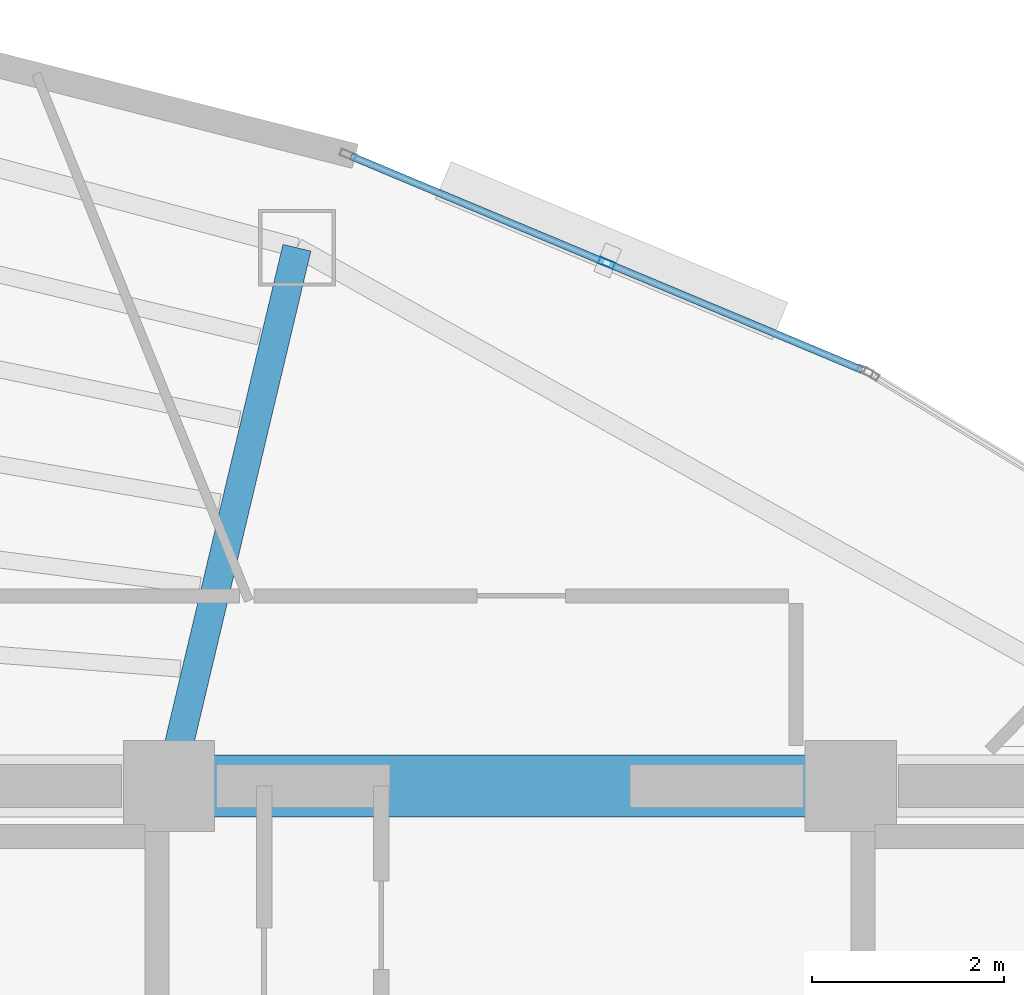
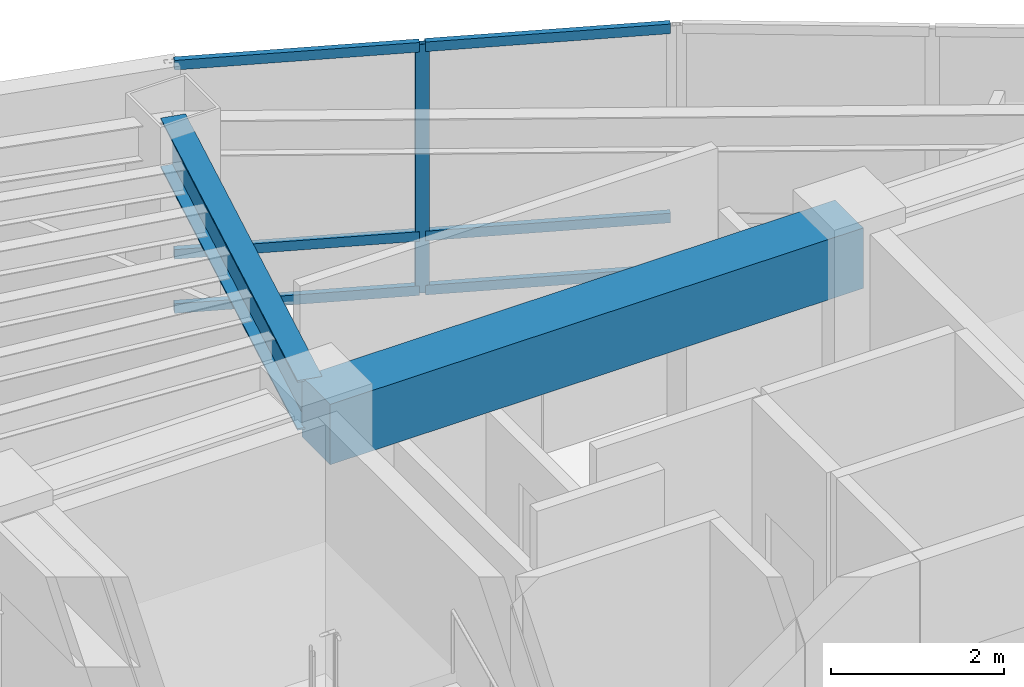
# One storey, part 8 of 15: 7 members, 2 beams, 1 element without a shape of its own.
"""IFC4 building model written with IfcOpenShell, lengths in metres."""

from ifc_helpers import new_model, si_unit, direction, frame, origin, origin_2d, place, context, subcontext, project, spatial, rectangle, hollow_rectangle, i_section, extrude, material, layer, layer_set, material_profile, profile_set, type_object, element, aggregate, save


model = new_model("IFC4")

# Units and contexts
model_context = context("Model", 3, precision=1e-05, world=origin(), true_north=direction((0.0, 1.0)))
body_context = subcontext(model_context, "Body", "Model", "MODEL_VIEW")
ifc_project = project(units=[si_unit("LENGTHUNIT", "METRE"), si_unit("AREAUNIT", "SQUARE_METRE"), si_unit("VOLUMEUNIT", "CUBIC_METRE"), si_unit("PLANEANGLEUNIT", "RADIAN"), si_unit("MASSUNIT", "GRAM", prefix="KILO")], contexts=[model_context])

# Site, building, storey
site_placement = place(None, origin())
site = spatial("IfcSite", under=ifc_project, at=site_placement, CompositionType="ELEMENT")
building_placement = place(site_placement, origin())
building = spatial("IfcBuilding", under=site, at=building_placement, Name="Menara Vayukalpa", CompositionType="ELEMENT")
storey_placement = place(building_placement, frame((0.0, 0.0, 269.4599609375)))
storey = spatial("IfcBuildingStorey", under=building, at=storey_placement, Name="L68", CompositionType="ELEMENT", Elevation=269.4599609375)

# Beams
ifc_material_1 = material(Name="Concrete C60/75", Category="concrete")
ifc_material_profile_1 = material_profile(ifc_material_1, rectangle(XDim=0.64990234375, YDim=0.85009765625, at=origin_2d()), Name="RC 650x850")
ifc_profile_set_1 = profile_set([ifc_material_profile_1], Name="Concrete C60/75")
beam_type_1 = type_object("IfcBeamType", Name="BM-CB1", PredefinedType="BEAM", material=ifc_profile_set_1)
beam_1_placement = place(storey_placement, frame((22.050048828125, 26.800048828125, 3.074951171875), z_axis=(1.0, 0.0, 0.0), x_axis=(0.0, 1.0, 0.0)))
element("IfcBeam", 1, at=beam_1_placement, inside=storey, type_object=beam_type_1, Name="L68 Core Tie Beam CBR5", PredefinedType="BEAM", context=body_context, shape_type="SweptSolid", body=[
    extrude(rectangle(XDim=0.64990234375, YDim=0.85009765625, at=origin_2d()), origin(), (0.0, 0.0, 1.0), 7.099853515625),
])
ifc_material_2 = material(Name="Steel S355", Category="steel")
ifc_material_profile_2 = material_profile(ifc_material_2, i_section(OverallWidth=0.300048828125, OverallDepth=0.699951171875, WebThickness=0.012939453125, FlangeThickness=0.02392578125, at=origin_2d()), Name="WF 700x300x13x24")
ifc_profile_set_2 = profile_set([ifc_material_profile_2], Name="Steel S355")
beam_type_2 = type_object("IfcBeamType", Name="BM-PG5", PredefinedType="BEAM", material=ifc_profile_set_2)
beam_2_placement = place(storey_placement, frame((22.10791015625, 27.043212890625, 3.150146484375), z_axis=(0.231167310854, 0.972914011818, 0.0), x_axis=(-0.972914011818, 0.231167310854, 0.0)))
element("IfcBeam", 2, at=beam_2_placement, inside=storey, type_object=beam_type_2, Name="L68 Primary Radial Girder RG03", PredefinedType="BEAM", context=body_context, shape_type="SweptSolid", body=[
    extrude(i_section(OverallWidth=0.300048828125, OverallDepth=0.699951171875, WebThickness=0.012939453125, FlangeThickness=0.02392578125, at=origin_2d()), origin(), (0.0, 0.0, 1.0), 5.5107421875),
])

# Curtain wall, members
ifc_material_3 = material(Name="Anodised Terracotta Aluminium Alloy 6063-T6", Category="masonry")
ifc_layer = layer(ifc_material_3, 0.1650390625)
ifc_layer_set = layer_set([ifc_layer], Name="Anodised Terracotta Aluminium Alloy 6063-T6")
curtain_wall_type = type_object("IfcCurtainWallType", Name="CW-CW6", PredefinedType="USERDEFINED", material=ifc_layer_set)
curtain_wall_placement = place(storey_placement, origin())
curtain_wall = element("IfcCurtainWall", 3, at=curtain_wall_placement, inside=storey, type_object=curtain_wall_type, Name="L68 Observation and Executive Curtain Wall CW6 05", ObjectType="UNITISED", PredefinedType="USERDEFINED")
ifc_material_4 = material(Name="Anodised Terracotta Aluminium Alloy 6063-T6", Category="masonry")
ifc_material_profile_3 = material_profile(ifc_material_4, hollow_rectangle(XDim=0.070068359375, YDim=0.1650390625, WallThickness=0.00390625, at=origin_2d()), Name="ALU 70x165x4")
ifc_profile_set_3 = profile_set([ifc_material_profile_3], Name="Anodised Terracotta Aluminium Alloy 6063-T6")
member_type_1 = type_object("IfcMemberType", Name="CWM-CW6", PredefinedType="MULLION", material=ifc_profile_set_3)
member_1_placement = place(storey_placement, frame((26.60595703125, 32.2451171875, 0.0), z_axis=(0.0, 0.0, 1.0), x_axis=(-0.385899911703, -0.922540653927, 0.0)))
member_1 = element("IfcMember", 4, at=member_1_placement, type_object=member_type_1, Name="CW6 mullion 2", PredefinedType="MULLION", context=body_context, shape_type="SweptSolid", body=[
    extrude(hollow_rectangle(XDim=0.070068359375, YDim=0.1650390625, WallThickness=0.00390625, at=origin_2d()), origin(), (0.0, 0.0, 1.0), 3.5),
])
ifc_material_5 = material(Name="Anodised Terracotta Aluminium Alloy 6063-T6", Category="masonry")
ifc_material_profile_4 = material_profile(ifc_material_5, hollow_rectangle(XDim=0.074951171875, YDim=0.135009765625, WallThickness=0.00390625, at=origin_2d()), Name="ALU 75x135x4")
ifc_profile_set_4 = profile_set([ifc_material_profile_4], Name="Anodised Terracotta Aluminium Alloy 6063-T6")
member_type_2 = type_object("IfcMemberType", Name="CWT-CW6", PredefinedType="USERDEFINED", material=ifc_profile_set_4)
member_2_placement = place(storey_placement, frame((29.266357421875, 31.13232421875, 0.03759765625), z_axis=(-0.922528286758, 0.385929475592, 0.0), x_axis=(-0.385929475592, -0.922528286758, 0.0)))
member_2 = element("IfcMember", 5, at=member_2_placement, type_object=member_type_2, Name="CW6 transom 1.1", ObjectType="TRANSOM", PredefinedType="USERDEFINED", context=body_context, shape_type="SweptSolid", body=[
    extrude(hollow_rectangle(XDim=0.074951171875, YDim=0.135009765625, WallThickness=0.00390625, at=origin_2d()), origin(), (0.0, 0.0, 1.0), 2.8486328125),
])
member_3_placement = place(storey_placement, frame((29.266357421875, 31.13232421875, 0.800048828125), z_axis=(-0.922528286758, 0.385929475592, 0.0), x_axis=(-0.385929475592, -0.922528286758, 0.0)))
member_3 = element("IfcMember", 6, at=member_3_placement, type_object=member_type_2, Name="CW6 transom 1.2", ObjectType="TRANSOM", PredefinedType="USERDEFINED", context=body_context, shape_type="SweptSolid", body=[
    extrude(hollow_rectangle(XDim=0.074951171875, YDim=0.135009765625, WallThickness=0.00390625, at=origin_2d()), origin(), (0.0, 0.0, 1.0), 2.8486328125),
])
member_4_placement = place(storey_placement, frame((29.266357421875, 31.13232421875, 3.462646484375), z_axis=(-0.922528286758, 0.385929475592, 0.0), x_axis=(-0.385929475592, -0.922528286758, 0.0)))
member_4 = element("IfcMember", 7, at=member_4_placement, type_object=member_type_2, Name="CW6 transom 1.3", ObjectType="TRANSOM", PredefinedType="USERDEFINED", context=body_context, shape_type="SweptSolid", body=[
    extrude(hollow_rectangle(XDim=0.074951171875, YDim=0.135009765625, WallThickness=0.00390625, at=origin_2d()), origin(), (0.0, 0.0, 1.0), 2.8486328125),
])
member_5_placement = place(storey_placement, frame((26.57373046875, 32.258544921875, 0.03759765625), z_axis=(-0.922541050276, 0.38589896418, 0.0), x_axis=(-0.38589896418, -0.922541050276, 0.0)))
member_5 = element("IfcMember", 8, at=member_5_placement, type_object=member_type_2, Name="CW6 transom 2.1", ObjectType="TRANSOM", PredefinedType="USERDEFINED", context=body_context, shape_type="SweptSolid", body=[
    extrude(hollow_rectangle(XDim=0.074951171875, YDim=0.135009765625, WallThickness=0.00390625, at=origin_2d()), origin(), (0.0, 0.0, 1.0), 2.848876953125),
])
member_6_placement = place(storey_placement, frame((26.57373046875, 32.258544921875, 0.800048828125), z_axis=(-0.922541050276, 0.38589896418, 0.0), x_axis=(-0.38589896418, -0.922541050276, 0.0)))
member_6 = element("IfcMember", 9, at=member_6_placement, type_object=member_type_2, Name="CW6 transom 2.2", ObjectType="TRANSOM", PredefinedType="USERDEFINED", context=body_context, shape_type="SweptSolid", body=[
    extrude(hollow_rectangle(XDim=0.074951171875, YDim=0.135009765625, WallThickness=0.00390625, at=origin_2d()), origin(), (0.0, 0.0, 1.0), 2.848876953125),
])
member_7_placement = place(storey_placement, frame((26.57373046875, 32.258544921875, 3.462646484375), z_axis=(-0.922541050276, 0.38589896418, 0.0), x_axis=(-0.38589896418, -0.922541050276, 0.0)))
member_7 = element("IfcMember", 10, at=member_7_placement, type_object=member_type_2, Name="CW6 transom 2.3", ObjectType="TRANSOM", PredefinedType="USERDEFINED", context=body_context, shape_type="SweptSolid", body=[
    extrude(hollow_rectangle(XDim=0.074951171875, YDim=0.135009765625, WallThickness=0.00390625, at=origin_2d()), origin(), (0.0, 0.0, 1.0), 2.848876953125),
])
aggregate(curtain_wall, [member_1, member_2, member_3, member_4, member_5, member_6, member_7])

save(model, "model.ifc")
